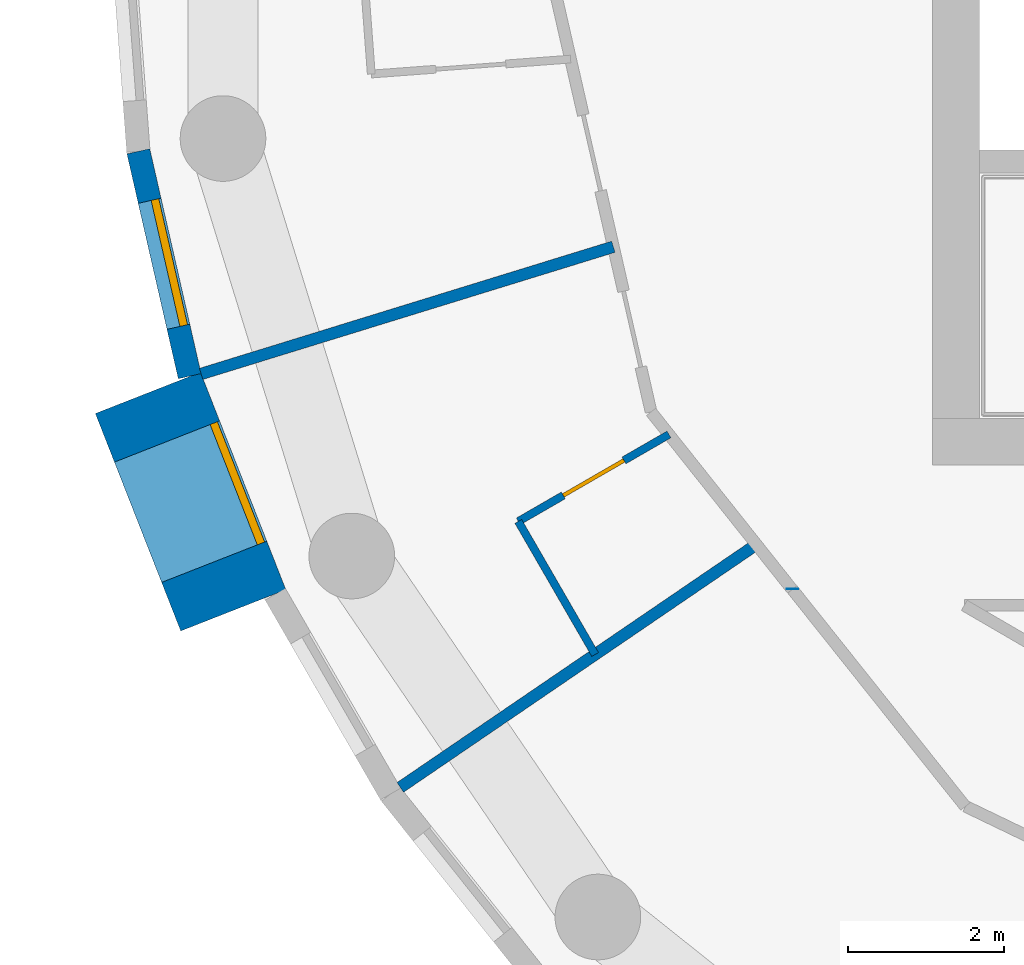
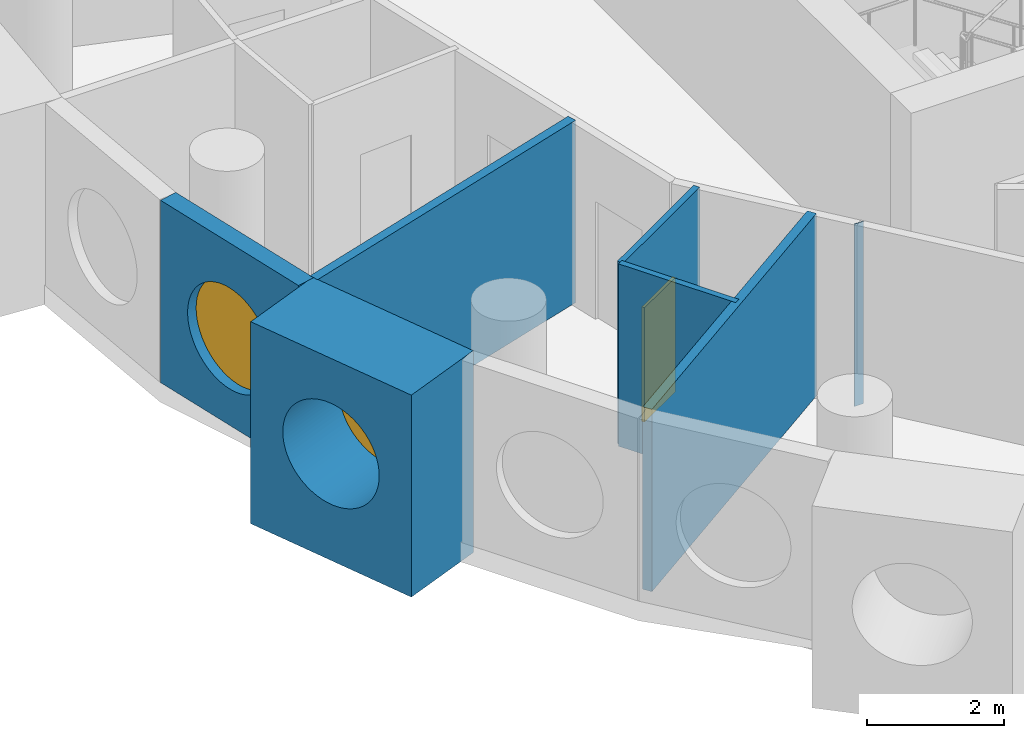
# One storey, part 2 of 11: 7 walls, 2 windows, 1 door, 3 openings.
"""IFC4 building model written with IfcOpenShell, lengths in metres."""

from ifc_helpers import new_model, si_unit, direction, frame, frame_2d, origin, origin_2d, place, context, subcontext, project, spatial, rectangle, circle, extrude, material, layer, layer_set, type_object, element, fill, save


model = new_model("IFC4")

# Units and contexts
model_context = context("Model", 3, precision=1e-05, world=origin(), true_north=direction((0.0, 1.0)))
body_context = subcontext(model_context, "Body", "Model", "MODEL_VIEW")
ifc_project = project(units=[si_unit("LENGTHUNIT", "METRE"), si_unit("AREAUNIT", "SQUARE_METRE"), si_unit("VOLUMEUNIT", "CUBIC_METRE"), si_unit("PLANEANGLEUNIT", "RADIAN"), si_unit("MASSUNIT", "GRAM", prefix="KILO")], contexts=[model_context])

# Site, building, storey
site_placement = place(None, origin())
site = spatial("IfcSite", under=ifc_project, at=site_placement, CompositionType="ELEMENT")
building_placement = place(site_placement, origin())
building = spatial("IfcBuilding", under=site, at=building_placement, Name="Tracery Tower", CompositionType="ELEMENT")
storey_placement = place(building_placement, frame((0.0, 0.0, 238.199951171875)))
storey = spatial("IfcBuildingStorey", under=building, at=storey_placement, Name="L61", CompositionType="ELEMENT", Elevation=238.199951171875)

# Wall, opening, window
ifc_material_1 = material(Name="Precast concrete C50/60", Category="concrete")
ifc_layer_1 = layer(ifc_material_1, 1.449951171875)
ifc_layer_set_1 = layer_set([ifc_layer_1], Name="Deep-set bay unit 3000 x 3600, slab edge 350")
wall_type_1 = type_object("IfcWallType", Name="Deep-set bay unit 3000 x 3600, slab edge 350", PredefinedType="ELEMENTEDWALL", material=ifc_layer_set_1)
wall_1_placement = place(storey_placement, frame((-19.576171875, -6.071533203125, -0.349853515625), z_axis=(0.0, 0.0, 1.0), x_axis=(0.36537792632, -0.93085926485, 0.0)))
wall_1 = element("IfcWall", 1, at=wall_1_placement, inside=storey, type_object=wall_type_1, Name="Deep-set bay unit 24 at L61", PredefinedType="ELEMENTEDWALL", context=body_context, shape_type="SweptSolid", body=[
    extrude(rectangle(XDim=3.000244140625, YDim=1.449951171875, at=frame_2d((1.5, 0.0))), origin(), (0.0, 0.0, 1.0), 3.599853515625),
])
opening_1_placement = place(wall_1_placement, frame((1.5, 0.0, 1.89990234375)))
opening_1 = element("IfcOpeningElement", 2, at=opening_1_placement, cuts=wall_1, Name="Opening WN1", PredefinedType="OPENING", context=body_context, shape_type="SweptSolid", body=[
    extrude(circle(Radius=0.9000244140625, at=origin_2d()), frame((0.0, 0.73486328125, 0.0), z_axis=(0.0, -1.0, 0.0), x_axis=(1.0, 0.0, 0.0)), (0.0, 0.0, 1.0), 1.469970703125),
])
ifc_material_2 = material(Name="Aluminium frame with tinted double glazing", Category="aluminium")
window_type = type_object("IfcWindowType", Name="Round window 1800", PartitioningType="SINGLE_PANEL", PredefinedType="WINDOW", material=ifc_material_2)
window_1_placement = place(opening_1_placement, origin())
window_1 = element("IfcWindow", 3, at=window_1_placement, inside=storey, type_object=window_type, Name="Round window 24 at L61", OverallHeight=1.800048828125, OverallWidth=1.800048828125, PartitioningType="SINGLE_PANEL", PredefinedType="WINDOW", context=body_context, shape_type="SweptSolid", body=[
    extrude(circle(Radius=0.9000244140625, at=origin_2d()), frame((0.0, 0.69482421875, 0.0), z_axis=(0.0, -1.0, 0.0), x_axis=(1.0, 0.0, 0.0)), (0.0, 0.0, 1.0), 0.10009765625),
])
fill(opening_1, window_1)

ifc_material_3 = material(Name="Precast concrete C50/60", Category="concrete")
ifc_layer_2 = layer(ifc_material_3, 0.300048828125)
ifc_layer_set_2 = layer_set([ifc_layer_2], Name="Facade panel 3000 x 3250")
wall_type_2 = type_object("IfcWallType", Name="Facade panel 3000 x 3250", PredefinedType="SOLIDWALL", material=ifc_layer_set_2)
wall_2_placement = place(storey_placement, frame((-19.69921875, -2.96923828125, 0.0), z_axis=(0.0, 0.0, 1.0), x_axis=(0.222529389789, -0.974925982155, 0.0)))
wall_2 = element("IfcWall", 4, at=wall_2_placement, inside=storey, type_object=wall_type_2, Name="Facade panel 23 at L61", PredefinedType="SOLIDWALL", context=body_context, shape_type="SweptSolid", body=[
    extrude(rectangle(XDim=2.962158203125, YDim=0.300048828125, at=frame_2d((1.48095703125, 0.0))), origin(), (0.0, 0.0, 1.0), 3.25),
])
opening_2_placement = place(wall_2_placement, frame((1.48095703125, 0.0, 1.5498046875)))
opening_2 = element("IfcOpeningElement", 5, at=opening_2_placement, cuts=wall_2, Name="Opening WN1", PredefinedType="OPENING", context=body_context, shape_type="SweptSolid", body=[
    extrude(circle(Radius=0.9000244140625, at=origin_2d()), frame((0.0, 0.159912109375, 0.0), z_axis=(0.0, -1.0, 0.0), x_axis=(1.0, 0.0, 0.0)), (0.0, 0.0, 1.0), 0.320068359375),
])
window_2_placement = place(opening_2_placement, origin())
window_2 = element("IfcWindow", 6, at=window_2_placement, inside=storey, type_object=window_type, Name="Round window 23 at L61", OverallHeight=1.800048828125, OverallWidth=1.800048828125, PartitioningType="SINGLE_PANEL", PredefinedType="WINDOW", context=body_context, shape_type="SweptSolid", body=[
    extrude(circle(Radius=0.9000244140625, at=origin_2d()), frame((0.0, 0.1201171875, 0.0), z_axis=(0.0, -1.0, 0.0), x_axis=(1.0, 0.0, 0.0)), (0.0, 0.0, 1.0), 0.10009765625),
])
fill(opening_2, window_2)

# Wall, opening, door
ifc_material_4 = material(Name="Plasterboard on steel studs", Category="steel")
ifc_layer_3 = layer(ifc_material_4, 0.10009765625)
ifc_layer_set_3 = layer_set([ifc_layer_3], Name="Partition 100 wet wall")
wall_type_3 = type_object("IfcWallType", Name="Partition 100 wet wall", PredefinedType="PARTITIONING", material=ifc_layer_set_3)
wall_3_placement = place(storey_placement, frame((-14.820068359375, -7.721923828125, 0.0), z_axis=(0.0, 0.0, 1.0), x_axis=(0.866076416361, 0.499911633214, 0.0)))
wall_3 = element("IfcWall", 7, at=wall_3_placement, inside=storey, type_object=wall_type_3, Name="Wet wall RC1-066", PredefinedType="PARTITIONING", context=body_context, shape_type="SweptSolid", body=[
    extrude(rectangle(XDim=2.234375, YDim=0.10009765625, at=frame_2d((1.1171875, 0.0))), origin(), (0.0, 0.0, 1.0), 3.25),
])
opening_3_placement = place(wall_3_placement, frame((0.667236328125, 0.0, 0.0)))
opening_3 = element("IfcOpeningElement", 8, at=opening_3_placement, cuts=wall_3, Name="Opening RC1-18", PredefinedType="OPENING", context=body_context, shape_type="SweptSolid", body=[
    extrude(rectangle(XDim=0.89990234375, YDim=2.0400390625, at=frame_2d((0.449951171875, 1.02001953125))), frame((0.0, 0.050048828125, 0.0), z_axis=(0.0, -1.0, 0.0), x_axis=(1.0, 0.0, 0.0)), (0.0, 0.0, 1.0), 0.10009765625),
])
ifc_material_5 = material(Name="Timber door leaf", Category="wood")
door_type = type_object("IfcDoorType", Name="Door en-suite 900", OperationType="NOTDEFINED", PredefinedType="DOOR", material=ifc_material_5)
door_placement = place(opening_3_placement, origin())
door = element("IfcDoor", 9, at=door_placement, inside=storey, type_object=door_type, Name="En-suite door RC1-18", OperationType="SINGLE_SWING_LEFT", OverallHeight=2.0400390625, OverallWidth=0.89990234375, PredefinedType="DOOR", context=body_context, shape_type="SweptSolid", body=[
    extrude(rectangle(XDim=0.89990234375, YDim=2.0400390625, at=frame_2d((0.449951171875, 1.02001953125))), frame((0.0, 0.02490234375, 0.0), z_axis=(0.0, -1.0, 0.0), x_axis=(1.0, 0.0, 0.0)), (0.0, 0.0, 1.0), 0.050048828125),
])
fill(opening_3, door)

# Walls
wall_4_placement = place(storey_placement, frame((-14.820068359375, -7.721923828125, 0.0), z_axis=(0.0, 0.0, 1.0), x_axis=(0.500143626598, -0.865942465048, 0.0)))
element("IfcWall", 10, at=wall_4_placement, inside=storey, type_object=wall_type_3, Name="Wet wall RC1-067", PredefinedType="PARTITIONING", context=body_context, shape_type="SweptSolid", body=[
    extrude(rectangle(XDim=1.9736328125, YDim=0.10009765625, at=frame_2d((0.98681640625, 0.0))), origin(), (0.0, 0.0, 1.0), 3.25),
])
ifc_material_6 = material(Name="Plasterboard on steel studs", Category="steel")
ifc_layer_4 = layer(ifc_material_6, 0.14990234375)
ifc_layer_set_4 = layer_set([ifc_layer_4], Name="Partition 150 acoustic unit wall")
wall_type_4 = type_object("IfcWallType", Name="Partition 150 acoustic unit wall", PredefinedType="PARTITIONING", material=ifc_layer_set_4)
wall_5_placement = place(storey_placement, frame((-18.89306640625, -5.827880859375, 0.0), z_axis=(0.0, 0.0, 1.0), x_axis=(0.955580602693, 0.294729896274, 0.0)))
element("IfcWall", 11, at=wall_5_placement, inside=storey, type_object=wall_type_4, Name="Unit wall RC1-065", PredefinedType="PARTITIONING", context=body_context, shape_type="SweptSolid", body=[
    extrude(rectangle(XDim=5.5400390625, YDim=0.14990234375, at=frame_2d((2.77001953125, 0.0))), origin(), (0.0, 0.0, 1.0), 3.25),
])
wall_6_placement = place(storey_placement, frame((-16.3359375, -11.137939453125, 0.0), z_axis=(0.0, 0.0, 1.0), x_axis=(0.82615274451, 0.563446219917, 0.0)))
element("IfcWall", 12, at=wall_6_placement, inside=storey, type_object=wall_type_4, Name="Unit wall RC1-068", PredefinedType="PARTITIONING", context=body_context, shape_type="SweptSolid", body=[
    extrude(rectangle(XDim=5.539794921875, YDim=0.14990234375, at=frame_2d((2.77001953125, 0.0))), origin(), (0.0, 0.0, 1.0), 3.25),
])
ifc_material_7 = material(Name="Plasterboard on steel studs", Category="steel")
ifc_layer_5 = layer(ifc_material_7, 0.14990234375)
ifc_layer_set_5 = layer_set([ifc_layer_5], Name="Partition 150 corridor wall")
wall_type_5 = type_object("IfcWallType", Name="Partition 150 corridor wall", PredefinedType="PARTITIONING", material=ifc_layer_set_5)
wall_7_placement = place(storey_placement, frame((-11.300048828125, -8.59619140625, 0.0), z_axis=(0.0, 0.0, 1.0), x_axis=(0.0, 1.0, 0.0)))
element("IfcWall", 13, at=wall_7_placement, inside=storey, type_object=wall_type_5, Name="Corridor wall RC1-017", PredefinedType="PARTITIONING", context=body_context, shape_type="SweptSolid", body=[
    extrude(rectangle(XDim=0.00927734375, YDim=0.14990234375, at=frame_2d((0.004638671875, 0.0))), origin(), (0.0, 0.0, 1.0), 3.25),
])

save(model, "model.ifc")
